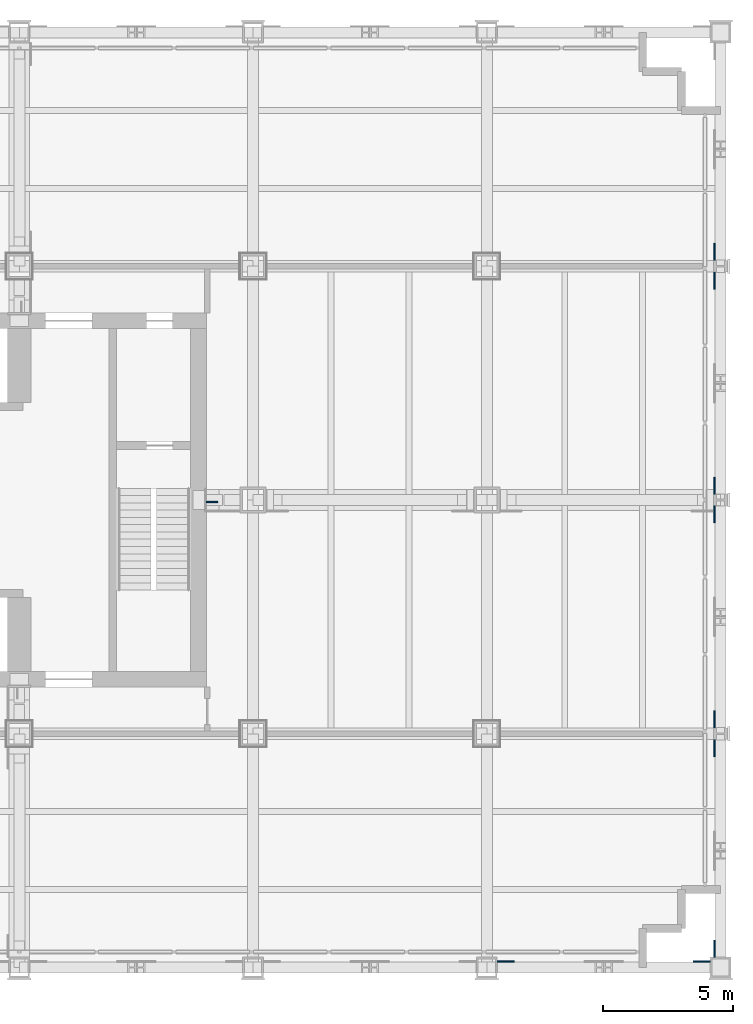
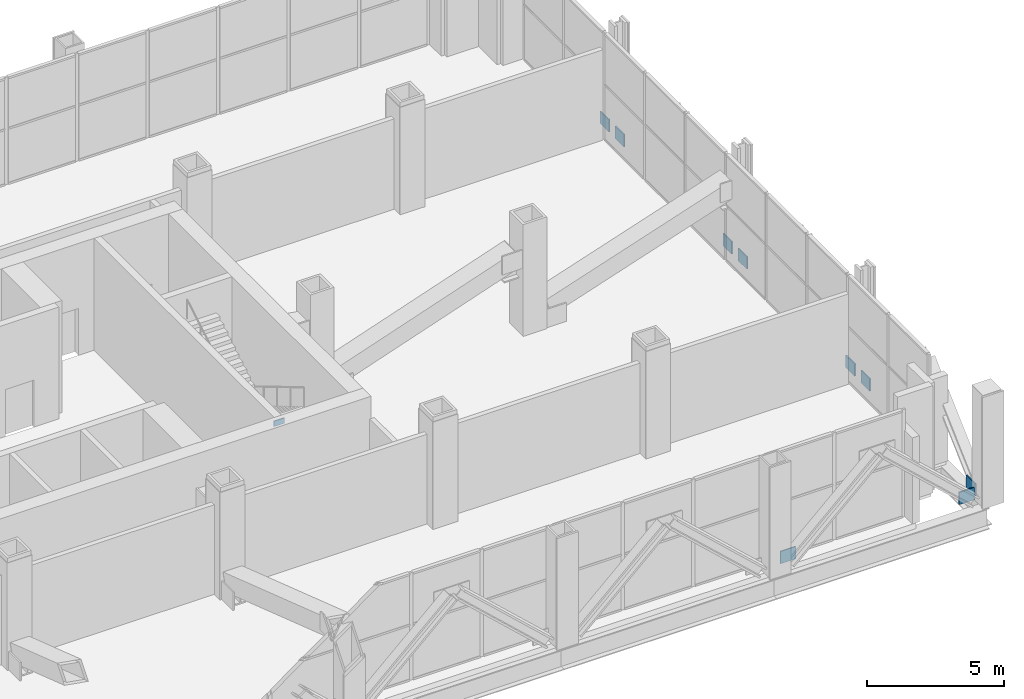
# One storey, part 14 of 19: 10 plates.
"""IFC4 building model written with IfcOpenShell, lengths in metres."""

import ifcopenshell
import ifcopenshell.guid

model = None  # the IFC model being written
_history = None  # IfcOwnerHistory: only IFC2X3 demands one
_inside = {}  # id of a spatial element -> (the spatial element, [elements in it])
_under = {}  # id of a project, library or spatial element -> (it, [spatial elements below it])
_declared = {}  # id of a project -> (the project, [libraries it declares])
_typed = {}  # id of a type object -> (the type object, [elements of that type])
_made_of = {}  # id of a material, layer set ... -> (it, [elements and type objects made of it])


def new_model(schema):
    """Start an empty IFC model of exactly this schema.

    Asked for "IFC4X3", IfcOpenShell would pick the latest addendum, in which some entities
    have other attributes; the version numbers below select the first issue.
    IFC2X3 requires an IfcOwnerHistory on every rooted entity: one is made here for all.
    """
    global model, _history
    if schema == "IFC4X3":
        model = ifcopenshell.file(schema_version=(4, 3, 0, 0))
    else:
        model = ifcopenshell.file(schema=schema)
    _inside.clear()
    _under.clear()
    _declared.clear()
    _typed.clear()
    _made_of.clear()
    _history = None
    if model.schema == "IFC2X3":
        org = make("IfcOrganization", Name="unknown")
        user = make(
            "IfcPersonAndOrganization",
            ThePerson=make("IfcPerson", FamilyName="unknown"),
            TheOrganization=org,
        )
        app = make(
            "IfcApplication",
            ApplicationDeveloper=org,
            Version="unknown",
            ApplicationFullName="unknown",
            ApplicationIdentifier="unknown",
        )
        _history = make(
            "IfcOwnerHistory",
            OwningUser=user,
            OwningApplication=app,
            ChangeAction="ADDED",
            CreationDate=0,
        )
    return model


def make(cls, **values):
    """One entity of the class cls with the attributes given. An attribute that is None is left unset."""
    return model.create_entity(
        cls, **{name: value for name, value in values.items() if value is not None}
    )


def rooted(cls, **values):
    """An entity with a GlobalId (a new one), such as an element, a storey or a relation."""
    return make(cls, GlobalId=ifcopenshell.guid.new(), OwnerHistory=_history, **values)


def si_unit(unit_type, name, prefix=None):
    """IfcSIUnit, for example si_unit("LENGTHUNIT", "METRE", prefix="MILLI")."""
    return make("IfcSIUnit", UnitType=unit_type, Prefix=prefix, Name=name)


def assignment(units):
    """IfcUnitAssignment: the units of a project."""
    return None if units is None else make("IfcUnitAssignment", Units=units)


def point(xyz):
    """IfcCartesianPoint."""
    return None if xyz is None else make("IfcCartesianPoint", Coordinates=xyz)


def direction(xyz):
    """IfcDirection."""
    return None if xyz is None else make("IfcDirection", DirectionRatios=xyz)


def frame(location, z_axis=None, x_axis=None):
    """IfcAxis2Placement3D, a coordinate frame: its origin and axes. An axis left out is left unset."""
    return make(
        "IfcAxis2Placement3D",
        Location=point(location),
        Axis=direction(z_axis),
        RefDirection=direction(x_axis),
    )


def frame_2d(location, x_axis=None):
    """IfcAxis2Placement2D, a coordinate frame in the plane: its origin and x axis."""
    return make(
        "IfcAxis2Placement2D", Location=point(location), RefDirection=direction(x_axis)
    )


def origin():
    """The frame at (0, 0, 0) with its axes left unset."""
    return frame((0.0, 0.0, 0.0))


def origin_2d():
    """The frame at (0, 0) in the plane with its x axis left unset."""
    return frame_2d((0.0, 0.0))


def place(relative_to, where):
    """IfcLocalPlacement: puts the frame where relative to a parent placement (None: the world)."""
    return make(
        "IfcLocalPlacement", PlacementRelTo=relative_to, RelativePlacement=where
    )


def context(
    kind, dimensions, precision=None, world=None, true_north=None, identifier=None
):
    """IfcGeometricRepresentationContext, for example the 3D "Model" context."""
    return make(
        "IfcGeometricRepresentationContext",
        ContextIdentifier=identifier,
        ContextType=kind,
        CoordinateSpaceDimension=dimensions,
        Precision=precision,
        WorldCoordinateSystem=world,
        TrueNorth=true_north,
    )


def subcontext(parent, identifier, kind, view, scale=None):
    """IfcGeometricRepresentationSubContext, for example "Body" below "Model"."""
    return make(
        "IfcGeometricRepresentationSubContext",
        ContextIdentifier=identifier,
        ContextType=kind,
        ParentContext=parent,
        TargetScale=scale,
        TargetView=view,
    )


def project(units=None, contexts=None):
    """IfcProject with its units and contexts."""
    return rooted(
        "IfcProject",
        Name="project",
        RepresentationContexts=contexts,
        UnitsInContext=assignment(units),
    )


def spatial(cls, under=None, at=None, **own):
    """A site, building, storey or space (cls), placed at a placement, below another one or the project."""
    s = rooted(cls, ObjectPlacement=at, **own)
    if under is not None:
        _under.setdefault(under.id(), (under, []))[1].append(s)
    return s


def profile(cls, at=None, kind="AREA", **sizes):
    """A parametric profile (cls). Its sizes go by their IFC names, for example OverallWidth=200.0."""
    return make(cls, ProfileType=kind, Position=at, **sizes)


def rectangle(**sizes):
    """IfcRectangleProfileDef."""
    return profile("IfcRectangleProfileDef", **sizes)


def extrude(swept, where, along, depth):
    """IfcExtrudedAreaSolid: the profile swept, set in the frame where, extruded along a direction by depth."""
    return make(
        "IfcExtrudedAreaSolid",
        SweptArea=swept,
        Position=where,
        ExtrudedDirection=direction(along),
        Depth=depth,
    )


def shape(context_of_items, identifier, shape_type, items):
    """IfcShapeRepresentation: the items that make up one representation, for example the "Body"."""
    return make(
        "IfcShapeRepresentation",
        ContextOfItems=context_of_items,
        RepresentationIdentifier=identifier,
        RepresentationType=shape_type,
        Items=items,
    )


def material(Name=None, Category=None):
    """IfcMaterial."""
    return make("IfcMaterial", Name=Name, Category=Category)


def layer(
    of_material, thickness, ventilated=None, Name=None, Category=None, Priority=None
):
    """IfcMaterialLayer: one layer of a wall or slab, of a material (None: an air gap)."""
    return make(
        "IfcMaterialLayer",
        Material=of_material,
        LayerThickness=thickness,
        IsVentilated=ventilated,
        Name=Name,
        Category=Category,
        Priority=Priority,
    )


def layer_set(layers, Name=None):
    """IfcMaterialLayerSet."""
    return make("IfcMaterialLayerSet", MaterialLayers=layers, LayerSetName=Name)


def made_of(thing, what):
    """Note that an element or type object is made of a material, layer set ...; save() writes the relation."""
    if what is not None:
        _made_of.setdefault(what.id(), (what, []))[1].append(thing)
    return thing


def type_object(cls, material=None, **own):
    """A type object (cls), such as IfcWallType, which elements share."""
    return made_of(rooted(cls, **own), material)


def element(
    cls,
    number,
    at=None,
    inside=None,
    cuts=None,
    type_object=None,
    material=None,
    context=None,
    identifier="Body",
    shape_type=None,
    held_by="IfcProductDefinitionShape",
    body=None,
    shapes=None,
    **own,
):
    """One element of the class cls, such as IfcWall. Its Tag is "e" and its number.

    at: its placement. inside: the storey or other place that contains it. cuts: it is an
    opening in that element (IfcRelVoidsElement). A single representation is given by context,
    identifier, shape_type and body (its items); several are given by shapes. held_by: the class
    of the entity that holds the representations. save() writes the other relations.
    """
    e = rooted(cls, Tag="e%d" % number, ObjectPlacement=at, **own)
    if body is not None:
        shapes = [shape(context, identifier, shape_type, body)]
    if shapes is not None:
        e.Representation = make(held_by, Representations=shapes)
    if inside is not None:
        _inside.setdefault(inside.id(), (inside, []))[1].append(e)
    if cuts is not None:
        rooted(
            "IfcRelVoidsElement", RelatingBuildingElement=cuts, RelatedOpeningElement=e
        )
    if type_object is not None:
        _typed.setdefault(type_object.id(), (type_object, []))[1].append(e)
    return made_of(e, material)


def aggregate(whole, parts):
    """IfcRelAggregates: a whole, such as a stair, and the parts it consists of."""
    return rooted("IfcRelAggregates", RelatingObject=whole, RelatedObjects=parts)


def save(model, path):
    """Write the relations noted so far, then the file.

    IfcRelAggregates (storeys below a building ...), IfcRelContainedInSpatialStructure (elements
    in a storey), IfcRelDefinesByType, IfcRelAssociatesMaterial and IfcRelDeclares: one each for
    every whole, place, type object, material and project.
    """
    for whole, parts in _under.values():
        aggregate(whole, parts)
    for where, things in _inside.values():
        rooted(
            "IfcRelContainedInSpatialStructure",
            RelatedElements=things,
            RelatingStructure=where,
        )
    for kind, things in _typed.values():
        rooted("IfcRelDefinesByType", RelatedObjects=things, RelatingType=kind)
    for what, things in _made_of.values():
        rooted("IfcRelAssociatesMaterial", RelatedObjects=things, RelatingMaterial=what)
    for by, libraries in _declared.values():
        rooted("IfcRelDeclares", RelatingContext=by, RelatedDefinitions=libraries)
    model.write(path)


model = new_model("IFC4")

# Units and contexts
model_context = context("Model", 3, precision=1e-05, world=origin(), true_north=direction((0.0, 1.0)))
body_context = subcontext(model_context, "Body", "Model", "MODEL_VIEW")
ifc_project = project(units=[si_unit("LENGTHUNIT", "METRE"), si_unit("AREAUNIT", "SQUARE_METRE"), si_unit("VOLUMEUNIT", "CUBIC_METRE"), si_unit("PLANEANGLEUNIT", "RADIAN"), si_unit("MASSUNIT", "GRAM", prefix="KILO")], contexts=[model_context])

# Site, building, storey
site_placement = place(None, origin())
site = spatial("IfcSite", under=ifc_project, at=site_placement, CompositionType="ELEMENT")
building_placement = place(site_placement, origin())
building = spatial("IfcBuilding", under=site, at=building_placement, Name="Loomwork Tower", CompositionType="ELEMENT")
storey_placement = place(building_placement, frame((0.0, 0.0, 89.199951171875)))
storey = spatial("IfcBuildingStorey", under=building, at=storey_placement, Name="L23", CompositionType="ELEMENT", Elevation=89.199951171875)

# Plates
ifc_material_1 = material(Name="Steel ASTM A572 Grade 50 plate", Category="steel")
ifc_layer_1 = layer(ifc_material_1, 0.050048828125)
ifc_layer_set_1 = layer_set([ifc_layer_1], Name="OUTRIGGER SHEAR PLATE 50")
plate_type_1 = type_object("IfcPlateType", Name="OUTRIGGER SHEAR PLATE 50", PredefinedType="SHEET", material=ifc_layer_set_1)
plate_placement = place(storey_placement, frame((34.424560546875, 17.922119140625, -0.66943359375), z_axis=(0.0, 0.0, 1.0), x_axis=(1.0, 0.0, 0.0)))
element("IfcPlate", 1, at=plate_placement, inside=storey, type_object=plate_type_1, Name="Outrigger shear plate 36,18-33.9,18 L23", PredefinedType="SHEET", context=body_context, shape_type="SweptSolid", body=[
    extrude(rectangle(XDim=0.449951171875, YDim=0.050048828125, at=origin_2d()), origin(), (0.0, 0.0, 1.0), 0.239990234375),
])
ifc_material_2 = material(Name="Steel ASTM A572 Grade 50 plate", Category="steel")
ifc_layer_2 = layer(ifc_material_2, 0.050048828125)
ifc_layer_set_2 = layer_set([ifc_layer_2], Name="BELT TRUSS PIER GUSSET PLATE 50")
plate_type_2 = type_object("IfcPlateType", Name="BELT TRUSS PIER GUSSET PLATE 50", PredefinedType="SHEET", material=ifc_layer_set_2)
for number, where, z_axis, x_axis, name in (
    (2, (45.72705078125, 0.238037109375, 0.001953125), (0.0, 0.0, 1.0), (1.0, 0.0, 0.0), "Belt truss pier gusset plate D/7-D/8 1 L23"),
    (3, (53.27294921875, 0.238037109375, 0.001953125), (0.0, 0.0, 1.0), (1.0, 0.0, 0.0), "Belt truss pier gusset plate D/7-D/8 2 L23"),
    (4, (53.761962890625, 0.72705078125, 0.001953125), (0.0, 0.0, 1.0), (0.0, 1.0, 0.0), "Belt truss pier gusset plate D/8-E/8 1 L23"),
    (5, (53.761962890625, 8.4482421875, 0.001953125), (0.0, 0.0, 1.0), (0.0, 1.0, 0.0), "Belt truss pier gusset plate D/8-E/8 2 L23"),
    (6, (53.761962890625, 9.5517578125, 0.001953125), (0.0, 0.0, 1.0), (0.0, 1.0, 0.0), "Belt truss pier gusset plate E/8-F/8 1 L23"),
    (7, (53.761962890625, 17.4482421875, 0.001953125), (0.0, 0.0, 1.0), (0.0, 1.0, 0.0), "Belt truss pier gusset plate E/8-F/8 2 L23"),
    (8, (53.761962890625, 18.5517578125, 0.001953125), (0.0, 0.0, 1.0), (0.0, 1.0, 0.0), "Belt truss pier gusset plate F/8-G/8 1 L23"),
    (9, (53.761962890625, 26.4482421875, 0.001953125), (0.0, 0.0, 1.0), (0.0, 1.0, 0.0), "Belt truss pier gusset plate F/8-G/8 2 L23"),
    (10, (53.761962890625, 27.5517578125, 0.001953125), (0.0, 0.0, 1.0), (0.0, 1.0, 0.0), "Belt truss pier gusset plate G/8-H/8 1 L23"),
):
    element("IfcPlate", number, at=place(storey_placement, frame(where, z_axis=z_axis, x_axis=x_axis)), inside=storey, type_object=plate_type_2, Name=name, PredefinedType="SHEET", context=body_context, shape_type="SweptSolid", body=[
        extrude(rectangle(XDim=0.64990234375, YDim=0.050048828125, at=origin_2d()), origin(), (0.0, 0.0, 1.0), 0.550048828125),
    ])

save(model, "model.ifc")
